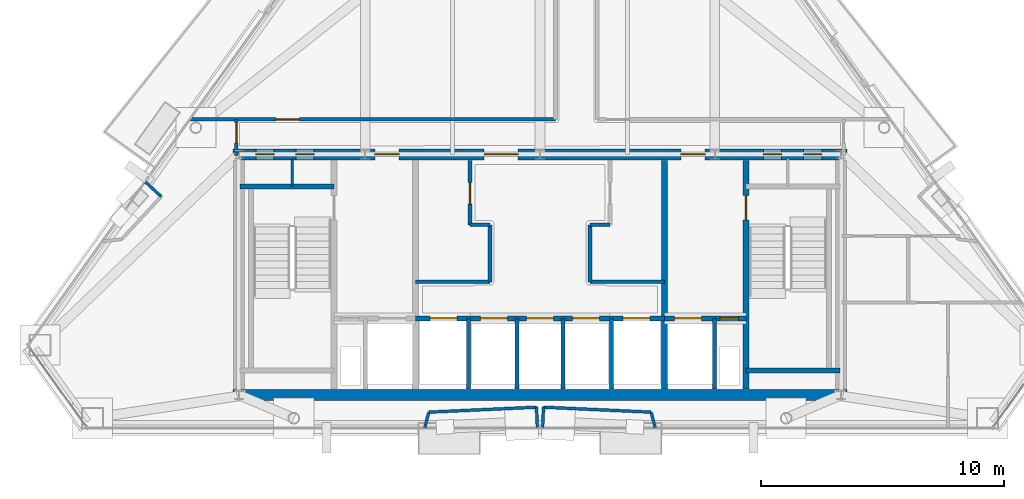
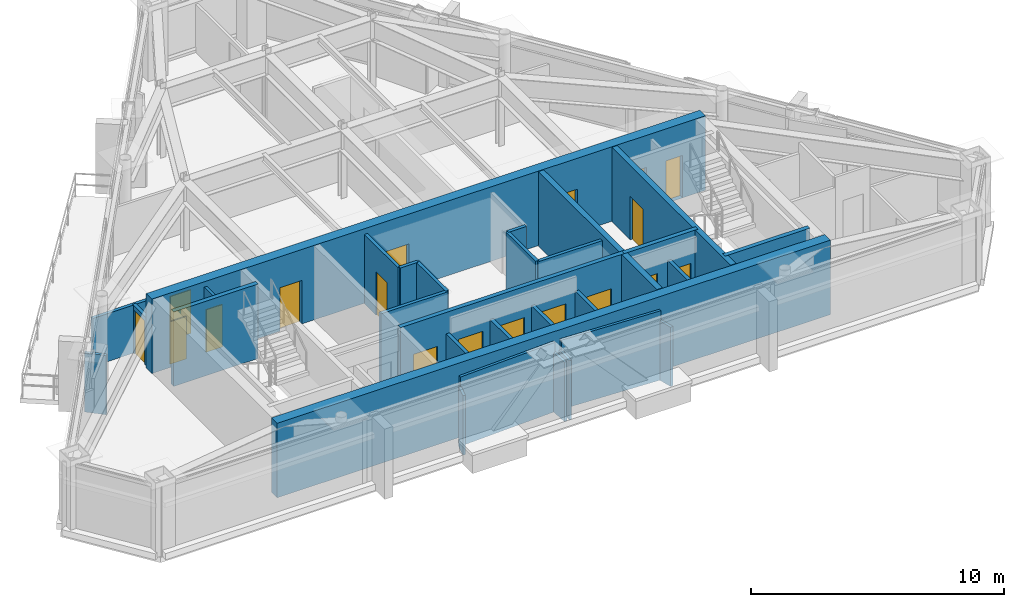
# One storey, part 8 of 12: 30 walls, 18 doors, 18 openings.
"""IFC4 building model written with IfcOpenShell, lengths in metres."""

from ifc_helpers import new_model, si_unit, direction, frame, frame_2d, origin, place, context, subcontext, project, spatial, rectangle, extrude, material, layer, layer_set, type_object, element, fill, save


model = new_model("IFC4")

# Units and contexts
model_context = context("Model", 3, precision=1e-05, world=origin(), true_north=direction((0.0, 1.0)))
body_context = subcontext(model_context, "Body", "Model", "MODEL_VIEW")
ifc_project = project(units=[si_unit("LENGTHUNIT", "METRE"), si_unit("AREAUNIT", "SQUARE_METRE"), si_unit("VOLUMEUNIT", "CUBIC_METRE"), si_unit("PLANEANGLEUNIT", "RADIAN"), si_unit("MASSUNIT", "GRAM", prefix="KILO")], contexts=[model_context])

# Site, building, storey
site_placement = place(None, origin())
site = spatial("IfcSite", under=ifc_project, at=site_placement, CompositionType="ELEMENT")
building_placement = place(site_placement, origin())
building = spatial("IfcBuilding", under=site, at=building_placement, Name="Talgorran Terracotta Tower", CompositionType="ELEMENT")
storey_placement = place(building_placement, frame((0.0, 0.0, 259.800048828125)))
storey = spatial("IfcBuildingStorey", under=building, at=storey_placement, Name="L68", CompositionType="ELEMENT", Elevation=259.800048828125)

# Walls
ifc_material_1 = material(Name="Concrete C50/60", Category="concrete")
ifc_layer_1 = layer(ifc_material_1, 0.199951171875, Name="WT_CORE_200")
ifc_layer_set_1 = layer_set([ifc_layer_1], Name="Concrete C50/60")
wall_type_1 = type_object("IfcWallType", Name="WT_CORE_200", PredefinedType="SOLIDWALL", material=ifc_layer_set_1)
for number, where, z_axis, x_axis, name in (
    (1, (-12.35009765625, -5.52001953125, 0.0), (0.0, 0.0, 1.0), (1.0, 0.0, 0.0), "WL-L68-CW-ST1-N"),
    (2, (8.47998046875, -13.10009765625, 0.0), (0.0, 0.0, 1.0), (1.0, 0.0, 0.0), "WL-L68-CW-ST2-S"),
):
    element("IfcWall", number, at=place(storey_placement, frame(where, z_axis=z_axis, x_axis=x_axis)), inside=storey, type_object=wall_type_1, Name=name, PredefinedType="SOLIDWALL", context=body_context, shape_type="SweptSolid", body=[
        extrude(rectangle(XDim=3.8701171875, YDim=0.199951171875, at=frame_2d((1.93505859375, 0.0))), origin(), (0.0, 0.0, 1.0), 3.599853515625),
    ])

# Wall, openings, doors
wall_1_placement = place(storey_placement, frame((-5.1201171875, -10.949951171875, 0.0), z_axis=(0.0, 0.0, 1.0), x_axis=(1.0, 0.0, 0.0)))
wall_1 = element("IfcWall", 3, at=wall_1_placement, inside=storey, type_object=wall_type_1, Name="WL-L68-CW-H-SBC", PredefinedType="SOLIDWALL", context=body_context, shape_type="SweptSolid", body=[
    extrude(rectangle(XDim=10.240234375, YDim=0.199951171875, at=frame_2d((5.1201171875, 0.0))), origin(), (0.0, 0.0, 1.0), 3.599853515625),
])
opening_1_placement = place(wall_1_placement, frame((0.60009765625, 0.0, 0.0)))
opening_1 = element("IfcOpeningElement", 4, at=opening_1_placement, cuts=wall_1, Name="Opening LD-OB1", PredefinedType="OPENING", context=body_context, shape_type="SweptSolid", body=[
    extrude(rectangle(XDim=1.10609765625, YDim=2.10409765625, at=frame_2d((0.550048828125, 1.052001953125))), frame((0.0, 0.10986328125, 0.0), z_axis=(0.0, -1.0, 0.0), x_axis=(1.0, 0.0, 0.0)), (0.0, 0.0, 1.0), 0.219970703125),
])
opening_2_placement = place(wall_1_placement, frame((2.669921875, 0.0, 0.0)))
opening_2 = element("IfcOpeningElement", 5, at=opening_2_placement, cuts=wall_1, Name="Opening LD-PLH1", PredefinedType="OPENING", context=body_context, shape_type="SweptSolid", body=[
    extrude(rectangle(XDim=1.10609765625, YDim=2.10409765625, at=frame_2d((0.550048828125, 1.052001953125))), frame((0.0, 0.10986328125, 0.0), z_axis=(0.0, -1.0, 0.0), x_axis=(1.0, 0.0, 0.0)), (0.0, 0.0, 1.0), 0.219970703125),
])
opening_3_placement = place(wall_1_placement, frame((4.570068359375, 0.0, 0.0)))
opening_3 = element("IfcOpeningElement", 6, at=opening_3_placement, cuts=wall_1, Name="Opening LD-PLH2", PredefinedType="OPENING", context=body_context, shape_type="SweptSolid", body=[
    extrude(rectangle(XDim=1.10609765625, YDim=2.10409765625, at=frame_2d((0.550048828125, 1.052001953125))), frame((0.0, 0.10986328125, 0.0), z_axis=(0.0, -1.0, 0.0), x_axis=(1.0, 0.0, 0.0)), (0.0, 0.0, 1.0), 0.219970703125),
])
opening_4_placement = place(wall_1_placement, frame((6.469970703125, 0.0, 0.0)))
opening_4 = element("IfcOpeningElement", 7, at=opening_4_placement, cuts=wall_1, Name="Opening LD-PLH3", PredefinedType="OPENING", context=body_context, shape_type="SweptSolid", body=[
    extrude(rectangle(XDim=1.10609765625, YDim=2.10409765625, at=frame_2d((0.550048828125, 1.052001953125))), frame((0.0, 0.10986328125, 0.0), z_axis=(0.0, -1.0, 0.0), x_axis=(1.0, 0.0, 0.0)), (0.0, 0.0, 1.0), 0.219970703125),
])
opening_5_placement = place(wall_1_placement, frame((8.5400390625, 0.0, 0.0)))
opening_5 = element("IfcOpeningElement", 8, at=opening_5_placement, cuts=wall_1, Name="Opening LD-SVL1", PredefinedType="OPENING", context=body_context, shape_type="SweptSolid", body=[
    extrude(rectangle(XDim=1.10609765625, YDim=2.10409765625, at=frame_2d((0.550048828125, 1.052001953125))), frame((0.0, 0.10986328125, 0.0), z_axis=(0.0, -1.0, 0.0), x_axis=(1.0, 0.0, 0.0)), (0.0, 0.0, 1.0), 0.219970703125),
])
ifc_material_2 = material(Name="Brushed Stainless Steel Grade 304", Category="steel")
door_type_1 = type_object("IfcDoorType", Name="DT_LIFT_LD1100", OperationType="DOUBLE_DOOR_SLIDING", PredefinedType="DOOR", material=ifc_material_2)
door_1_placement = place(opening_1_placement, origin())
door_1 = element("IfcDoor", 9, at=door_1_placement, inside=storey, type_object=door_type_1, Name="L68 Lift Landing Door LD-OB1", OperationType="DOUBLE_DOOR_SLIDING", OverallHeight=2.10009765625, OverallWidth=1.10009765625, PredefinedType="DOOR", context=body_context, shape_type="SweptSolid", body=[
    extrude(rectangle(XDim=1.10009765625, YDim=2.10009765625, at=frame_2d((0.550048828125, 1.050048828125))), frame((0.0, 0.02490234375, 0.0), z_axis=(0.0, -1.0, 0.0), x_axis=(1.0, 0.0, 0.0)), (0.0, 0.0, 1.0), 0.050048828125),
])
fill(opening_1, door_1)
door_2_placement = place(opening_2_placement, origin())
door_2 = element("IfcDoor", 10, at=door_2_placement, inside=storey, type_object=door_type_1, Name="L68 Lift Landing Door LD-PLH1", OperationType="DOUBLE_DOOR_SLIDING", OverallHeight=2.10009765625, OverallWidth=1.10009765625, PredefinedType="DOOR", context=body_context, shape_type="SweptSolid", body=[
    extrude(rectangle(XDim=1.10009765625, YDim=2.10009765625, at=frame_2d((0.550048828125, 1.050048828125))), frame((0.0, 0.02490234375, 0.0), z_axis=(0.0, -1.0, 0.0), x_axis=(1.0, 0.0, 0.0)), (0.0, 0.0, 1.0), 0.050048828125),
])
fill(opening_2, door_2)
door_3_placement = place(opening_3_placement, origin())
door_3 = element("IfcDoor", 11, at=door_3_placement, inside=storey, type_object=door_type_1, Name="L68 Lift Landing Door LD-PLH2", OperationType="DOUBLE_DOOR_SLIDING", OverallHeight=2.10009765625, OverallWidth=1.10009765625, PredefinedType="DOOR", context=body_context, shape_type="SweptSolid", body=[
    extrude(rectangle(XDim=1.10009765625, YDim=2.10009765625, at=frame_2d((0.550048828125, 1.050048828125))), frame((0.0, 0.02490234375, 0.0), z_axis=(0.0, -1.0, 0.0), x_axis=(1.0, 0.0, 0.0)), (0.0, 0.0, 1.0), 0.050048828125),
])
fill(opening_3, door_3)
door_4_placement = place(opening_4_placement, origin())
door_4 = element("IfcDoor", 12, at=door_4_placement, inside=storey, type_object=door_type_1, Name="L68 Lift Landing Door LD-PLH3", OperationType="DOUBLE_DOOR_SLIDING", OverallHeight=2.10009765625, OverallWidth=1.10009765625, PredefinedType="DOOR", context=body_context, shape_type="SweptSolid", body=[
    extrude(rectangle(XDim=1.10009765625, YDim=2.10009765625, at=frame_2d((0.550048828125, 1.050048828125))), frame((0.0, 0.02490234375, 0.0), z_axis=(0.0, -1.0, 0.0), x_axis=(1.0, 0.0, 0.0)), (0.0, 0.0, 1.0), 0.050048828125),
])
fill(opening_4, door_4)
door_5_placement = place(opening_5_placement, origin())
door_5 = element("IfcDoor", 13, at=door_5_placement, inside=storey, type_object=door_type_1, Name="L68 Lift Landing Door LD-SVL1", OperationType="DOUBLE_DOOR_SLIDING", OverallHeight=2.10009765625, OverallWidth=1.10009765625, PredefinedType="DOOR", context=body_context, shape_type="SweptSolid", body=[
    extrude(rectangle(XDim=1.10009765625, YDim=2.10009765625, at=frame_2d((0.550048828125, 1.050048828125))), frame((0.0, 0.02490234375, 0.0), z_axis=(0.0, -1.0, 0.0), x_axis=(1.0, 0.0, 0.0)), (0.0, 0.0, 1.0), 0.050048828125),
])
fill(opening_5, door_5)

wall_2_placement = place(storey_placement, frame((5.1201171875, -10.949951171875, 0.0), z_axis=(0.0, 0.0, 1.0), x_axis=(1.0, 0.0, 0.0)))
wall_2 = element("IfcWall", 14, at=wall_2_placement, inside=storey, type_object=wall_type_1, Name="WL-L68-CW-H-SBE", PredefinedType="SOLIDWALL", context=body_context, shape_type="SweptSolid", body=[
    extrude(rectangle(XDim=3.35986328125, YDim=0.199951171875, at=frame_2d((1.679931640625, 0.0))), origin(), (0.0, 0.0, 1.0), 3.599853515625),
])
opening_6_placement = place(wall_2_placement, frame((0.419921875, 0.0, 0.0)))
opening_6 = element("IfcOpeningElement", 15, at=opening_6_placement, cuts=wall_2, Name="Opening LD-FFL2", PredefinedType="OPENING", context=body_context, shape_type="SweptSolid", body=[
    extrude(rectangle(XDim=1.10609765625, YDim=2.10409765625, at=frame_2d((0.550048828125, 1.052001953125))), frame((0.0, 0.10986328125, 0.0), z_axis=(0.0, -1.0, 0.0), x_axis=(1.0, 0.0, 0.0)), (0.0, 0.0, 1.0), 0.219970703125),
])
opening_7_placement = place(wall_2_placement, frame((2.300048828125, 0.0, 0.0)))
opening_7 = element("IfcOpeningElement", 16, at=opening_7_placement, cuts=wall_2, Name="Opening DR-RSE", PredefinedType="OPENING", context=body_context, shape_type="SweptSolid", body=[
    extrude(rectangle(XDim=0.756, YDim=2.054048828125, at=frame_2d((0.375, 1.027099609375))), frame((0.0, 0.10986328125, 0.0), z_axis=(0.0, -1.0, 0.0), x_axis=(1.0, 0.0, 0.0)), (0.0, 0.0, 1.0), 0.219970703125),
])
door_6_placement = place(opening_6_placement, origin())
door_6 = element("IfcDoor", 17, at=door_6_placement, inside=storey, type_object=door_type_1, Name="L68 Lift Landing Door LD-FFL2", OperationType="DOUBLE_DOOR_SLIDING", OverallHeight=2.10009765625, OverallWidth=1.10009765625, PredefinedType="DOOR", context=body_context, shape_type="SweptSolid", body=[
    extrude(rectangle(XDim=1.10009765625, YDim=2.10009765625, at=frame_2d((0.550048828125, 1.050048828125))), frame((0.0, 0.02490234375, 0.0), z_axis=(0.0, -1.0, 0.0), x_axis=(1.0, 0.0, 0.0)), (0.0, 0.0, 1.0), 0.050048828125),
])
fill(opening_6, door_6)
ifc_material_3 = material(Name="Fire-Rated Pressed Steel", Category="steel")
door_type_2 = type_object("IfcDoorType", Name="DT_RISER_750", OperationType="NOTDEFINED", PredefinedType="DOOR", material=ifc_material_3)
door_7_placement = place(opening_7_placement, origin())
door_7 = element("IfcDoor", 18, at=door_7_placement, inside=storey, type_object=door_type_2, Name="DR-RSE", OperationType="SINGLE_SWING_RIGHT", OverallHeight=2.050048828125, OverallWidth=0.75, PredefinedType="DOOR", context=body_context, shape_type="SweptSolid", body=[
    extrude(rectangle(XDim=0.75, YDim=2.050048828125, at=frame_2d((0.375, 1.02490234375))), frame((0.0, 0.02490234375, 0.0), z_axis=(0.0, -1.0, 0.0), x_axis=(1.0, 0.0, 0.0)), (0.0, 0.0, 1.0), 0.050048828125),
])
fill(opening_7, door_7)

# Wall, opening, door
ifc_layer_2 = layer(ifc_material_1, 0.25, Name="WT_CORE_250")
ifc_layer_set_2 = layer_set([ifc_layer_2], Name="Concrete C50/60")
wall_type_2 = type_object("IfcWallType", Name="WT_CORE_250", PredefinedType="SHEAR", material=ifc_layer_set_2)
wall_3_placement = place(storey_placement, frame((8.47998046875, -13.85009765625, 0.0), z_axis=(0.0, 0.0, 1.0), x_axis=(0.0, 1.0, 0.0)))
wall_3 = element("IfcWall", 19, at=wall_3_placement, inside=storey, type_object=wall_type_2, Name="WL-L68-CW-V-E1", PredefinedType="SHEAR", context=body_context, shape_type="SweptSolid", body=[
    extrude(rectangle(XDim=9.400146484375, YDim=0.25, at=frame_2d((4.7001953125, 0.0))), origin(), (0.0, 0.0, 1.0), 3.599853515625),
])
opening_8_placement = place(wall_3_placement, frame((6.949951171875, 0.0, 0.0)))
opening_8 = element("IfcOpeningElement", 20, at=opening_8_placement, cuts=wall_3, Name="Opening DR-ST02", PredefinedType="OPENING", context=body_context, shape_type="SweptSolid", body=[
    extrude(rectangle(XDim=1.006, YDim=2.10409765625, at=frame_2d((0.5, 1.052001953125))), frame((0.0, 0.135009765625, 0.0), z_axis=(0.0, -1.0, 0.0), x_axis=(1.0, 0.0, 0.0)), (0.0, 0.0, 1.0), 0.27001953125),
])
door_type_3 = type_object("IfcDoorType", Name="DT_FIRE_1000", OperationType="NOTDEFINED", PredefinedType="DOOR", material=ifc_material_3)
door_8_placement = place(opening_8_placement, origin())
door_8 = element("IfcDoor", 21, at=door_8_placement, inside=storey, type_object=door_type_3, Name="DR-ST02", OperationType="SINGLE_SWING_RIGHT", OverallHeight=2.10009765625, OverallWidth=1.0, PredefinedType="DOOR", context=body_context, shape_type="SweptSolid", body=[
    extrude(rectangle(XDim=1.0, YDim=2.10009765625, at=frame_2d((0.5, 1.050048828125))), frame((0.0, 0.02490234375, 0.0), z_axis=(0.0, -1.0, 0.0), x_axis=(1.0, 0.0, 0.0)), (0.0, 0.0, 1.0), 0.050048828125),
])
fill(opening_8, door_8)

# Walls
wall_4_placement = place(storey_placement, frame((5.1201171875, -13.85009765625, 0.0), z_axis=(0.0, 0.0, 1.0), x_axis=(0.0, 1.0, 0.0)))
element("IfcWall", 22, at=wall_4_placement, inside=storey, type_object=wall_type_2, Name="WL-L68-CW-V-E2", PredefinedType="SHEAR", context=body_context, shape_type="SweptSolid", body=[
    extrude(rectangle(XDim=9.400146484375, YDim=0.25, at=frame_2d((4.7001953125, 0.0))), origin(), (0.0, 0.0, 1.0), 3.599853515625),
])
ifc_material_4 = material(Name="Concrete C65/80", Category="concrete")
ifc_layer_3 = layer(ifc_material_4, 0.449951171875, Name="WT_CORE_EXT")
ifc_layer_set_3 = layer_set([ifc_layer_3], Name="Concrete C65/80")
wall_type_3 = type_object("IfcWallType", Name="WT_CORE_EXT", PredefinedType="SHEAR", material=ifc_layer_set_3)
wall_5_placement = place(storey_placement, frame((-12.64990234375, -14.10009765625, 0.0), z_axis=(0.0, 0.0, 1.0), x_axis=(1.0, 0.0, 0.0)))
element("IfcWall", 23, at=wall_5_placement, inside=storey, type_object=wall_type_3, Name="WL-L68-CW-OUT-S", PredefinedType="SHEAR", context=body_context, shape_type="SweptSolid", body=[
    extrude(rectangle(XDim=25.2998046875, YDim=0.449951171875, at=frame_2d((12.64990234375, 0.0))), origin(), (0.0, 0.0, 1.0), 3.599853515625),
])

# Wall, openings, doors
wall_6_placement = place(storey_placement, frame((-12.64990234375, -4.199951171875, 0.0), z_axis=(0.0, 0.0, 1.0), x_axis=(1.0, 0.0, 0.0)))
wall_6 = element("IfcWall", 24, at=wall_6_placement, inside=storey, type_object=wall_type_3, Name="WL-L68-CW-OUT-N", PredefinedType="SHEAR", context=body_context, shape_type="SweptSolid", body=[
    extrude(rectangle(XDim=25.2998046875, YDim=0.449951171875, at=frame_2d((12.64990234375, 0.0))), origin(), (0.0, 0.0, 1.0), 3.599853515625),
])
opening_9_placement = place(wall_6_placement, frame((0.949951171875, 0.0, 0.0)))
opening_9 = element("IfcOpeningElement", 25, at=opening_9_placement, cuts=wall_6, Name="Opening DR-CSN1", PredefinedType="OPENING", context=body_context, shape_type="SweptSolid", body=[
    extrude(rectangle(XDim=0.756, YDim=2.054048828125, at=frame_2d((0.375, 1.027099609375))), frame((0.0, 0.23486328125, 0.0), z_axis=(0.0, -1.0, 0.0), x_axis=(1.0, 0.0, 0.0)), (0.0, 0.0, 1.0), 0.469970703125),
])
opening_10_placement = place(wall_6_placement, frame((2.60009765625, 0.0, 0.0)))
opening_10 = element("IfcOpeningElement", 26, at=opening_10_placement, cuts=wall_6, Name="Opening DR-CSN2", PredefinedType="OPENING", context=body_context, shape_type="SweptSolid", body=[
    extrude(rectangle(XDim=0.756, YDim=2.054048828125, at=frame_2d((0.375, 1.027099609375))), frame((0.0, 0.23486328125, 0.0), z_axis=(0.0, -1.0, 0.0), x_axis=(1.0, 0.0, 0.0)), (0.0, 0.0, 1.0), 0.469970703125),
])
opening_11_placement = place(wall_6_placement, frame((21.85009765625, 0.0, 0.0)))
opening_11 = element("IfcOpeningElement", 27, at=opening_11_placement, cuts=wall_6, Name="Opening DR-CSN3", PredefinedType="OPENING", context=body_context, shape_type="SweptSolid", body=[
    extrude(rectangle(XDim=0.756, YDim=2.054048828125, at=frame_2d((0.375, 1.027099609375))), frame((0.0, 0.23486328125, 0.0), z_axis=(0.0, -1.0, 0.0), x_axis=(1.0, 0.0, 0.0)), (0.0, 0.0, 1.0), 0.469970703125),
])
opening_12_placement = place(wall_6_placement, frame((23.5, 0.0, 0.0)))
opening_12 = element("IfcOpeningElement", 28, at=opening_12_placement, cuts=wall_6, Name="Opening DR-CSN4", PredefinedType="OPENING", context=body_context, shape_type="SweptSolid", body=[
    extrude(rectangle(XDim=0.756, YDim=2.054048828125, at=frame_2d((0.375, 1.027099609375))), frame((0.0, 0.23486328125, 0.0), z_axis=(0.0, -1.0, 0.0), x_axis=(1.0, 0.0, 0.0)), (0.0, 0.0, 1.0), 0.469970703125),
])
opening_13_placement = place(wall_6_placement, frame((5.85009765625, 0.0, 0.0)))
opening_13 = element("IfcOpeningElement", 29, at=opening_13_placement, cuts=wall_6, Name="Opening DR-FFLW-N", PredefinedType="OPENING", context=body_context, shape_type="SweptSolid", body=[
    extrude(rectangle(XDim=1.006, YDim=2.10409765625, at=frame_2d((0.5, 1.052001953125))), frame((0.0, 0.23486328125, 0.0), z_axis=(0.0, -1.0, 0.0), x_axis=(1.0, 0.0, 0.0)), (0.0, 0.0, 1.0), 0.469970703125),
])
opening_14_placement = place(wall_6_placement, frame((10.35009765625, 0.0, 0.0)))
opening_14 = element("IfcOpeningElement", 30, at=opening_14_placement, cuts=wall_6, Name="Opening DR-PLL-N", PredefinedType="OPENING", context=body_context, shape_type="SweptSolid", body=[
    extrude(rectangle(XDim=1.40590234375, YDim=2.15390234375, at=frame_2d((0.699951171875, 1.076904296875))), frame((0.0, 0.23486328125, 0.0), z_axis=(0.0, -1.0, 0.0), x_axis=(1.0, 0.0, 0.0)), (0.0, 0.0, 1.0), 0.469970703125),
])
opening_15_placement = place(wall_6_placement, frame((18.449951171875, 0.0, 0.0)))
opening_15 = element("IfcOpeningElement", 31, at=opening_15_placement, cuts=wall_6, Name="Opening DR-FFLE-N", PredefinedType="OPENING", context=body_context, shape_type="SweptSolid", body=[
    extrude(rectangle(XDim=1.006, YDim=2.10409765625, at=frame_2d((0.5, 1.052001953125))), frame((0.0, 0.23486328125, 0.0), z_axis=(0.0, -1.0, 0.0), x_axis=(1.0, 0.0, 0.0)), (0.0, 0.0, 1.0), 0.469970703125),
])
ifc_material_5 = material(Name="Acoustic Glazed Timber", Category="wood")
door_type_4 = type_object("IfcDoorType", Name="DT_DOUBLE_1400", OperationType="DOUBLE_DOOR_SINGLE_SWING", PredefinedType="DOOR", material=ifc_material_5)
door_9_placement = place(opening_14_placement, origin())
door_9 = element("IfcDoor", 32, at=door_9_placement, inside=storey, type_object=door_type_4, Name="DR-PLL-N", OperationType="DOUBLE_DOOR_SINGLE_SWING", OverallHeight=2.14990234375, OverallWidth=1.39990234375, PredefinedType="DOOR", context=body_context, shape_type="SweptSolid", body=[
    extrude(rectangle(XDim=1.39990234375, YDim=2.14990234375, at=frame_2d((0.699951171875, 1.074951171875))), frame((0.0, 0.02490234375, 0.0), z_axis=(0.0, -1.0, 0.0), x_axis=(1.0, 0.0, 0.0)), (0.0, 0.0, 1.0), 0.050048828125),
])
fill(opening_14, door_9)
door_10_placement = place(opening_13_placement, origin())
door_10 = element("IfcDoor", 33, at=door_10_placement, inside=storey, type_object=door_type_3, Name="DR-FFLW-N", OperationType="SINGLE_SWING_LEFT", OverallHeight=2.10009765625, OverallWidth=1.0, PredefinedType="DOOR", context=body_context, shape_type="SweptSolid", body=[
    extrude(rectangle(XDim=1.0, YDim=2.10009765625, at=frame_2d((0.5, 1.050048828125))), frame((0.0, 0.02490234375, 0.0), z_axis=(0.0, -1.0, 0.0), x_axis=(1.0, 0.0, 0.0)), (0.0, 0.0, 1.0), 0.050048828125),
])
fill(opening_13, door_10)
door_11_placement = place(opening_15_placement, origin())
door_11 = element("IfcDoor", 34, at=door_11_placement, inside=storey, type_object=door_type_3, Name="DR-FFLE-N", OperationType="SINGLE_SWING_RIGHT", OverallHeight=2.10009765625, OverallWidth=1.0, PredefinedType="DOOR", context=body_context, shape_type="SweptSolid", body=[
    extrude(rectangle(XDim=1.0, YDim=2.10009765625, at=frame_2d((0.5, 1.050048828125))), frame((0.0, 0.02490234375, 0.0), z_axis=(0.0, -1.0, 0.0), x_axis=(1.0, 0.0, 0.0)), (0.0, 0.0, 1.0), 0.050048828125),
])
fill(opening_15, door_11)
door_12_placement = place(opening_9_placement, origin())
door_12 = element("IfcDoor", 35, at=door_12_placement, inside=storey, type_object=door_type_2, Name="DR-CSN1", OperationType="SINGLE_SWING_LEFT", OverallHeight=2.050048828125, OverallWidth=0.75, PredefinedType="DOOR", context=body_context, shape_type="SweptSolid", body=[
    extrude(rectangle(XDim=0.75, YDim=2.050048828125, at=frame_2d((0.375, 1.02490234375))), frame((0.0, 0.02490234375, 0.0), z_axis=(0.0, -1.0, 0.0), x_axis=(1.0, 0.0, 0.0)), (0.0, 0.0, 1.0), 0.050048828125),
])
fill(opening_9, door_12)
door_13_placement = place(opening_10_placement, origin())
door_13 = element("IfcDoor", 36, at=door_13_placement, inside=storey, type_object=door_type_2, Name="DR-CSN2", OperationType="SINGLE_SWING_RIGHT", OverallHeight=2.050048828125, OverallWidth=0.75, PredefinedType="DOOR", context=body_context, shape_type="SweptSolid", body=[
    extrude(rectangle(XDim=0.75, YDim=2.050048828125, at=frame_2d((0.375, 1.02490234375))), frame((0.0, 0.02490234375, 0.0), z_axis=(0.0, -1.0, 0.0), x_axis=(1.0, 0.0, 0.0)), (0.0, 0.0, 1.0), 0.050048828125),
])
fill(opening_10, door_13)
door_14_placement = place(opening_11_placement, origin())
door_14 = element("IfcDoor", 37, at=door_14_placement, inside=storey, type_object=door_type_2, Name="DR-CSN3", OperationType="SINGLE_SWING_LEFT", OverallHeight=2.050048828125, OverallWidth=0.75, PredefinedType="DOOR", context=body_context, shape_type="SweptSolid", body=[
    extrude(rectangle(XDim=0.75, YDim=2.050048828125, at=frame_2d((0.375, 1.02490234375))), frame((0.0, 0.02490234375, 0.0), z_axis=(0.0, -1.0, 0.0), x_axis=(1.0, 0.0, 0.0)), (0.0, 0.0, 1.0), 0.050048828125),
])
fill(opening_11, door_14)
door_15_placement = place(opening_12_placement, origin())
door_15 = element("IfcDoor", 38, at=door_15_placement, inside=storey, type_object=door_type_2, Name="DR-CSN4", OperationType="SINGLE_SWING_RIGHT", OverallHeight=2.050048828125, OverallWidth=0.75, PredefinedType="DOOR", context=body_context, shape_type="SweptSolid", body=[
    extrude(rectangle(XDim=0.75, YDim=2.050048828125, at=frame_2d((0.375, 1.02490234375))), frame((0.0, 0.02490234375, 0.0), z_axis=(0.0, -1.0, 0.0), x_axis=(1.0, 0.0, 0.0)), (0.0, 0.0, 1.0), 0.050048828125),
])
fill(opening_12, door_15)

# Walls
ifc_material_6 = material(Name="Fire-Rated Steel Stud Plasterboard", Category="steel")
ifc_layer_4 = layer(ifc_material_6, 0.14990234375, Name="WT_FIRE_150")
ifc_layer_set_4 = layer_set([ifc_layer_4], Name="Fire-Rated Steel Stud Plasterboard")
wall_type_4 = type_object("IfcWallType", Name="WT_FIRE_150", PredefinedType="PARTITIONING", material=ifc_layer_set_4)
wall_7_placement = place(storey_placement, frame((-5.1201171875, -9.449951171875, 0.0), z_axis=(0.0, 0.0, 1.0), x_axis=(1.0, 0.0, 0.0)))
element("IfcWall", 39, at=wall_7_placement, inside=storey, type_object=wall_type_4, Name="WL-L68-CW-H-W4N", PredefinedType="PARTITIONING", context=body_context, shape_type="SweptSolid", body=[
    extrude(rectangle(XDim=3.06005859375, YDim=0.14990234375, at=frame_2d((1.530029296875, 0.0))), origin(), (0.0, 0.0, 1.0), 3.344970703125),
])
wall_8_placement = place(storey_placement, frame((-2.06005859375, -9.449951171875, 0.0), z_axis=(0.0, 0.0, 1.0), x_axis=(0.0, 1.0, 0.0)))
element("IfcWall", 40, at=wall_8_placement, inside=storey, type_object=wall_type_4, Name="WL-L68-CW-V-W3S2", PredefinedType="PARTITIONING", context=body_context, shape_type="SweptSolid", body=[
    extrude(rectangle(XDim=2.349853515625, YDim=0.14990234375, at=frame_2d((1.1748046875, 0.0))), origin(), (0.0, 0.0, 1.0), 3.344970703125),
])
wall_9_placement = place(storey_placement, frame((-2.8798828125, -7.10009765625, 0.0), z_axis=(0.0, 0.0, 1.0), x_axis=(1.0, 0.0, 0.0)))
element("IfcWall", 41, at=wall_9_placement, inside=storey, type_object=wall_type_4, Name="WL-L68-CW-H-W3M2", PredefinedType="PARTITIONING", context=body_context, shape_type="SweptSolid", body=[
    extrude(rectangle(XDim=0.81982421875, YDim=0.14990234375, at=frame_2d((0.409912109375, 0.0))), origin(), (0.0, 0.0, 1.0), 3.344970703125),
])

# Wall, opening, door
wall_10_placement = place(storey_placement, frame((-2.8798828125, -7.10009765625, 0.0), z_axis=(0.0, 0.0, 1.0), x_axis=(0.0, 1.0, 0.0)))
wall_10 = element("IfcWall", 42, at=wall_10_placement, inside=storey, type_object=wall_type_4, Name="WL-L68-CW-V-W3N", PredefinedType="PARTITIONING", context=body_context, shape_type="SweptSolid", body=[
    extrude(rectangle(XDim=2.650146484375, YDim=0.14990234375, at=frame_2d((1.3251953125, 0.0))), origin(), (0.0, 0.0, 1.0), 3.344970703125),
])
opening_16_placement = place(wall_10_placement, frame((0.85009765625, 0.0, 0.0)))
opening_16 = element("IfcOpeningElement", 43, at=opening_16_placement, cuts=wall_10, Name="Opening DR-FRPLL-B", PredefinedType="OPENING", context=body_context, shape_type="SweptSolid", body=[
    extrude(rectangle(XDim=0.8858828125, YDim=2.10409765625, at=frame_2d((0.43994140625, 1.052001953125))), frame((0.0, 0.0849609375, 0.0), z_axis=(0.0, -1.0, 0.0), x_axis=(1.0, 0.0, 0.0)), (0.0, 0.0, 1.0), 0.169921875),
])
ifc_material_7 = material(Name="Solid-Core Painted Timber", Category="wood")
door_type_5 = type_object("IfcDoorType", Name="DT_INT_880", OperationType="NOTDEFINED", PredefinedType="DOOR", material=ifc_material_7)
door_16_placement = place(opening_16_placement, origin())
door_16 = element("IfcDoor", 44, at=door_16_placement, inside=storey, type_object=door_type_5, Name="DR-FRPLL-B", OperationType="SINGLE_SWING_LEFT", OverallHeight=2.10009765625, OverallWidth=0.8798828125, PredefinedType="DOOR", context=body_context, shape_type="SweptSolid", body=[
    extrude(rectangle(XDim=0.8798828125, YDim=2.10009765625, at=frame_2d((0.43994140625, 1.050048828125))), frame((0.0, 0.02490234375, 0.0), z_axis=(0.0, -1.0, 0.0), x_axis=(1.0, 0.0, 0.0)), (0.0, 0.0, 1.0), 0.050048828125),
])
fill(opening_16, door_16)

# Walls
wall_11_placement = place(storey_placement, frame((2.06005859375, -9.449951171875, 0.0), z_axis=(0.0, 0.0, 1.0), x_axis=(1.0, 0.0, 0.0)))
element("IfcWall", 45, at=wall_11_placement, inside=storey, type_object=wall_type_4, Name="WL-L68-CW-H-E4N", PredefinedType="PARTITIONING", context=body_context, shape_type="SweptSolid", body=[
    extrude(rectangle(XDim=3.06005859375, YDim=0.14990234375, at=frame_2d((1.530029296875, 0.0))), origin(), (0.0, 0.0, 1.0), 3.344970703125),
])
wall_12_placement = place(storey_placement, frame((2.06005859375, -9.449951171875, 0.0), z_axis=(0.0, 0.0, 1.0), x_axis=(0.0, 1.0, 0.0)))
element("IfcWall", 46, at=wall_12_placement, inside=storey, type_object=wall_type_4, Name="WL-L68-CW-V-E3S2", PredefinedType="PARTITIONING", context=body_context, shape_type="SweptSolid", body=[
    extrude(rectangle(XDim=2.349853515625, YDim=0.14990234375, at=frame_2d((1.1748046875, 0.0))), origin(), (0.0, 0.0, 1.0), 3.344970703125),
])
wall_13_placement = place(storey_placement, frame((2.06005859375, -7.10009765625, 0.0), z_axis=(0.0, 0.0, 1.0), x_axis=(1.0, 0.0, 0.0)))
element("IfcWall", 47, at=wall_13_placement, inside=storey, type_object=wall_type_4, Name="WL-L68-CW-H-E3M2", PredefinedType="PARTITIONING", context=body_context, shape_type="SweptSolid", body=[
    extrude(rectangle(XDim=0.81982421875, YDim=0.14990234375, at=frame_2d((0.409912109375, 0.0))), origin(), (0.0, 0.0, 1.0), 3.344970703125),
])

# Wall, opening, door
wall_14_placement = place(storey_placement, frame((-14.419921875, -2.760009765625, 0.0), z_axis=(0.0, 0.0, 1.0), x_axis=(1.0, 0.0, 0.0)))
wall_14 = element("IfcWall", 48, at=wall_14_placement, inside=storey, type_object=wall_type_4, Name="WL-L68-W-L68-R08", PredefinedType="PARTITIONING", context=body_context, shape_type="SweptSolid", body=[
    extrude(rectangle(XDim=15.059814453125, YDim=0.14990234375, at=frame_2d((7.52978515625, 0.0))), origin(), (0.0, 0.0, 1.0), 2.320068359375),
])
opening_17_placement = place(wall_14_placement, frame((3.55859375, 0.0, 0.0)))
opening_17 = element("IfcOpeningElement", 49, at=opening_17_placement, cuts=wall_14, Name="Opening DR-L68-R10", PredefinedType="OPENING", context=body_context, shape_type="SweptSolid", body=[
    extrude(rectangle(XDim=0.955951171875, YDim=2.10409765625, at=frame_2d((0.47509765625, 1.052001953125))), frame((0.0, 0.0849609375, 0.0), z_axis=(0.0, -1.0, 0.0), x_axis=(1.0, 0.0, 0.0)), (0.0, 0.0, 1.0), 0.169921875),
])
ifc_material_8 = material(Name="Fire-Rated Timber Core", Category="wood")
door_type_6 = type_object("IfcDoorType", Name="DT_FIRE_950", OperationType="NOTDEFINED", PredefinedType="DOOR", material=ifc_material_8)
door_17_placement = place(opening_17_placement, origin())
door_17 = element("IfcDoor", 50, at=door_17_placement, inside=storey, type_object=door_type_6, Name="DR-L68-R10", OperationType="SINGLE_SWING_RIGHT", OverallHeight=2.10009765625, OverallWidth=0.949951171875, PredefinedType="DOOR", context=body_context, shape_type="SweptSolid", body=[
    extrude(rectangle(XDim=0.949951171875, YDim=2.10009765625, at=frame_2d((0.47509765625, 1.050048828125))), frame((0.0, 0.02490234375, 0.0), z_axis=(0.0, -1.0, 0.0), x_axis=(1.0, 0.0, 0.0)), (0.0, 0.0, 1.0), 0.050048828125),
])
fill(opening_17, door_17)

wall_15_placement = place(storey_placement, frame((-12.5, -4.239990234375, 0.0), z_axis=(0.0, 0.0, 1.0), x_axis=(0.0, 1.0, 0.0)))
wall_15 = element("IfcWall", 51, at=wall_15_placement, inside=storey, type_object=wall_type_4, Name="WL-L68-W-L68-R01", PredefinedType="PARTITIONING", context=body_context, shape_type="SweptSolid", body=[
    extrude(rectangle(XDim=1.47998046875, YDim=0.14990234375, at=frame_2d((0.739990234375, 0.0))), origin(), (0.0, 0.0, 1.0), 2.320068359375),
])
opening_18_placement = place(wall_15_placement, frame((0.521728515625, 0.0, 0.0)))
opening_18 = element("IfcOpeningElement", 52, at=opening_18_placement, cuts=wall_15, Name="Opening DR-L68-R01", PredefinedType="OPENING", context=body_context, shape_type="SweptSolid", body=[
    extrude(rectangle(XDim=0.826068359375, YDim=2.10409765625, at=frame_2d((0.41015625, 1.052001953125))), frame((0.0, 0.0849609375, 0.0), z_axis=(0.0, -1.0, 0.0), x_axis=(1.0, 0.0, 0.0)), (0.0, 0.0, 1.0), 0.169921875),
])
ifc_material_9 = material(Name="Moisture-Resistant Solid Timber", Category="wood")
door_type_7 = type_object("IfcDoorType", Name="DT_INT_820", OperationType="NOTDEFINED", PredefinedType="DOOR", material=ifc_material_9)
door_18_placement = place(opening_18_placement, origin())
door_18 = element("IfcDoor", 53, at=door_18_placement, inside=storey, type_object=door_type_7, Name="DR-L68-R01", OperationType="SINGLE_SWING_LEFT", OverallHeight=2.10009765625, OverallWidth=0.820068359375, PredefinedType="DOOR", context=body_context, shape_type="SweptSolid", body=[
    extrude(rectangle(XDim=0.820068359375, YDim=2.10009765625, at=frame_2d((0.41015625, 1.050048828125))), frame((0.0, 0.02490234375, 0.0), z_axis=(0.0, -1.0, 0.0), x_axis=(1.0, 0.0, 0.0)), (0.0, 0.0, 1.0), 0.050048828125),
])
fill(opening_18, door_18)

# Walls
ifc_material_10 = material(Name="Insulated Steel Stud Plasterboard", Category="steel")
ifc_layer_5 = layer(ifc_material_10, 0.1201171875, Name="WT_PART_120")
ifc_layer_set_5 = layer_set([ifc_layer_5], Name="Insulated Steel Stud Plasterboard")
wall_type_5 = type_object("IfcWallType", Name="WT_PART_120", PredefinedType="PARTITIONING", material=ifc_layer_set_5)
wall_16_placement = place(storey_placement, frame((-10.199951171875, -5.52001953125, 0.0), z_axis=(0.0, 0.0, 1.0), x_axis=(0.0, 1.0, 0.0)))
element("IfcWall", 54, at=wall_16_placement, inside=storey, type_object=wall_type_5, Name="WL-L68-CW-CSW-DIV", PredefinedType="PARTITIONING", context=body_context, shape_type="SweptSolid", body=[
    extrude(rectangle(XDim=1.1201171875, YDim=0.1201171875, at=frame_2d((0.56005859375, 0.0))), origin(), (0.0, 0.0, 1.0), 3.344970703125),
])
for number, where, z_axis, x_axis, name in (
    (55, (-4.578125, -14.813232421875, 0.0), (0.0, 0.0, 1.0), (0.998953966619, 0.045727153589, 0.0), "WL-L68-BW-L68-01"),
    (56, (0.14599609375, -14.6103515625, 0.0), (0.0, 0.0, 1.0), (0.998953966619, -0.045727153589, 0.0), "WL-L68-BW-L68-04"),
):
    element("IfcWall", number, at=place(storey_placement, frame(where, z_axis=z_axis, x_axis=x_axis)), inside=storey, type_object=wall_type_5, Name=name, PredefinedType="PARTITIONING", context=body_context, shape_type="SweptSolid", body=[
        extrude(rectangle(XDim=4.436767578125, YDim=0.1201171875, at=frame_2d((2.21826171875, 0.0))), origin(), (0.0, 0.0, 1.0), 3.344970703125),
    ])
wall_17_placement = place(storey_placement, frame((-16.2490234375, -5.33154296875, 0.0), z_axis=(0.0, 0.0, 1.0), x_axis=(0.733563468534, -0.679620951437, 0.0)))
element("IfcWall", 57, at=wall_17_placement, inside=storey, type_object=wall_type_5, Name="WL-L68-BW-L68-07", PredefinedType="PARTITIONING", context=body_context, shape_type="SweptSolid", body=[
    extrude(rectangle(XDim=0.8916015625, YDim=0.1201171875, at=frame_2d((0.44580078125, 0.0))), origin(), (0.0, 0.0, 1.0), 2.863037109375),
])
for number, where, z_axis, x_axis, name in (
    (58, (-0.14599609375, -14.6103515625, 0.0), (0.0, 0.0, 1.0), (0.045709485804, -0.998954775206, 0.0), "WL-L68-BW-L68-02"),
    (59, (0.107421875, -15.453369140625, 0.0), (0.0, 0.0, 1.0), (0.045709485804, 0.998954775206, 0.0), "WL-L68-BW-L68-06"),
):
    element("IfcWall", number, at=place(storey_placement, frame(where, z_axis=z_axis, x_axis=x_axis)), inside=storey, type_object=wall_type_5, Name=name, PredefinedType="PARTITIONING", context=body_context, shape_type="SweptSolid", body=[
        extrude(rectangle(XDim=0.843994140625, YDim=0.1201171875, at=frame_2d((0.421875, 0.0))), origin(), (0.0, 0.0, 1.0), 2.863037109375),
    ])
for number, where, z_axis, x_axis, name in (
    (60, (-4.742431640625, -15.453369140625, 0.0), (0.0, 0.0, 1.0), (0.248615313318, 0.968602305378, 0.0), "WL-L68-BW-L68-03"),
    (61, (4.578125, -14.813232421875, 0.0), (0.0, 0.0, 1.0), (0.248615313318, -0.968602305378, 0.0), "WL-L68-BW-L68-05"),
):
    element("IfcWall", number, at=place(storey_placement, frame(where, z_axis=z_axis, x_axis=x_axis)), inside=storey, type_object=wall_type_5, Name=name, PredefinedType="PARTITIONING", context=body_context, shape_type="SweptSolid", body=[
        extrude(rectangle(XDim=0.660888671875, YDim=0.1201171875, at=frame_2d((0.33056640625, 0.0))), origin(), (0.0, 0.0, 1.0), 2.863037109375),
    ])
ifc_material_11 = material(Name="Fire-Rated Shaftwall")
ifc_layer_6 = layer(ifc_material_11, 0.159912109375, Name="WT_PART_150")
ifc_layer_set_6 = layer_set([ifc_layer_6], Name="Fire-Rated Shaftwall")
wall_type_6 = type_object("IfcWallType", Name="WT_PART_150", PredefinedType="PARTITIONING", material=ifc_layer_set_6)
for number, where, z_axis, x_axis, name in (
    (62, (7.179931640625, -13.85009765625, 0.0), (0.0, 0.0, 1.0), (0.0, 1.0, 0.0), "WL-L68-CW-RSE"),
    (63, (-2.949951171875, -13.85009765625, 0.0), (0.0, 0.0, 1.0), (0.0, 1.0, 0.0), "WL-L68-CW-OB-E"),
    (64, (2.949951171875, -13.85009765625, 0.0), (0.0, 0.0, 1.0), (0.0, 1.0, 0.0), "WL-L68-CW-SV-W"),
    (65, (-0.949951171875, -13.85009765625, 0.0), (0.0, 0.0, 1.0), (0.0, 1.0, 0.0), "WL-L68-CW-PLH-D1"),
    (66, (0.949951171875, -13.85009765625, 0.0), (0.0, 0.0, 1.0), (0.0, 1.0, 0.0), "WL-L68-CW-PLH-D2"),
):
    element("IfcWall", number, at=place(storey_placement, frame(where, z_axis=z_axis, x_axis=x_axis)), inside=storey, type_object=wall_type_6, Name=name, PredefinedType="PARTITIONING", context=body_context, shape_type="SweptSolid", body=[
        extrude(rectangle(XDim=2.900146484375, YDim=0.159912109375, at=frame_2d((1.4501953125, 0.0))), origin(), (0.0, 0.0, 1.0), 2.570068359375),
    ])

save(model, "model.ifc")
